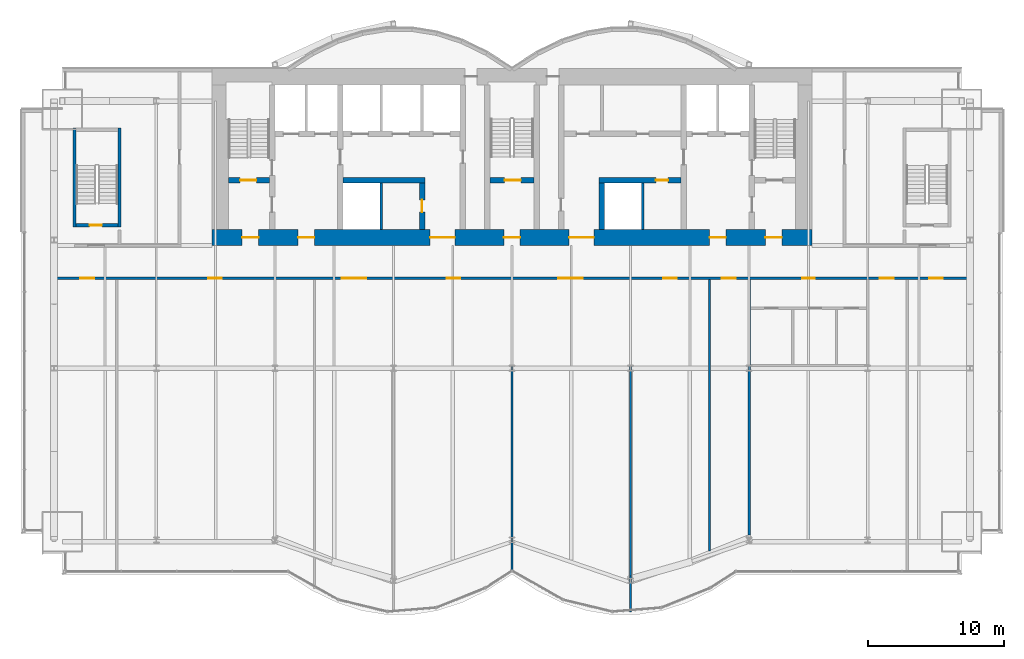
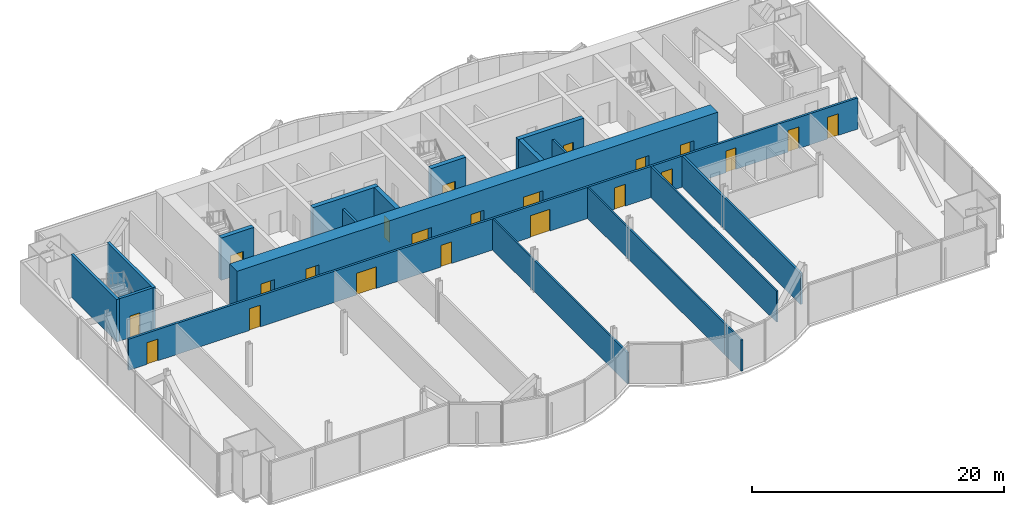
# One storey, part 15 of 21: 22 doors, 18 walls, 22 openings.
"""IFC4 building model written with IfcOpenShell, lengths in metres."""

from ifc_helpers import new_model, si_unit, direction, frame, frame_2d, origin, place, context, subcontext, project, spatial, rectangle, extrude, material, layer, layer_set, type_object, element, fill, save


model = new_model("IFC4")

# Units and contexts
model_context = context("Model", 3, precision=1e-05, world=origin(), true_north=direction((0.0, 1.0)))
body_context = subcontext(model_context, "Body", "Model", "MODEL_VIEW")
ifc_project = project(units=[si_unit("LENGTHUNIT", "METRE"), si_unit("AREAUNIT", "SQUARE_METRE"), si_unit("VOLUMEUNIT", "CUBIC_METRE"), si_unit("PLANEANGLEUNIT", "RADIAN"), si_unit("MASSUNIT", "GRAM", prefix="KILO")], contexts=[model_context])

# Site, building, storey
site_placement = place(None, origin())
site = spatial("IfcSite", under=ifc_project, at=site_placement, CompositionType="ELEMENT")
building_placement = place(site_placement, origin())
building = spatial("IfcBuilding", under=site, at=building_placement, Name="Bicima Exchange Tower", CompositionType="ELEMENT")
storey_placement = place(building_placement, frame((0.0, 0.0, 122.699951171875)))
storey = spatial("IfcBuildingStorey", under=building, at=storey_placement, Name="L26", CompositionType="ELEMENT", Elevation=122.699951171875)

# Walls
ifc_material_1 = material(Name="Gypsum board partition")
ifc_layer_1 = layer(ifc_material_1, 0.199951171875)
ifc_layer_set_1 = layer_set([ifc_layer_1], Name="Gypsum board partition")
wall_type_1 = type_object("IfcWallType", Name="Fire-rated gypsum partition 200 EI120", PredefinedType="PARTITIONING", material=ifc_layer_set_1)
for number, where, z_axis, x_axis, name in (
    (1, (-9.60009765625, -11.800048828125, 0.0), (0.0, 0.0, 1.0), (0.0, 1.0, 0.0), "partition wall 11"),
    (2, (9.60009765625, -11.800048828125, 0.0), (0.0, 0.0, 1.0), (0.0, 1.0, 0.0), "partition wall 21"),
):
    element("IfcWall", number, at=place(storey_placement, frame(where, z_axis=z_axis, x_axis=x_axis)), inside=storey, type_object=wall_type_1, Name=name, PredefinedType="PARTITIONING", context=body_context, shape_type="SweptSolid", body=[
        extrude(rectangle(XDim=3.400146484375, YDim=0.199951171875, at=frame_2d((1.7001953125, 0.0))), origin(), (0.0, 0.0, 1.0), 3.018310546875),
    ])

# Wall, openings, doors
ifc_layer_2 = layer(ifc_material_1, 0.199951171875)
ifc_layer_set_2 = layer_set([ifc_layer_2], Name="Gypsum board partition")
wall_type_2 = type_object("IfcWallType", Name="Fire-rated gypsum partition 200 EI60", PredefinedType="PARTITIONING", material=ifc_layer_set_2)
wall_1_placement = place(storey_placement, frame((-33.3701171875, -15.39990234375, 0.0), z_axis=(0.0, 0.0, 1.0), x_axis=(1.0, 0.0, 0.0)))
wall_1 = element("IfcWall", 3, at=wall_1_placement, inside=storey, type_object=wall_type_2, Name="partition wall 3", PredefinedType="PARTITIONING", context=body_context, shape_type="SweptSolid", body=[
    extrude(rectangle(XDim=66.740234375, YDim=0.199951171875, at=frame_2d((33.3701171875, 0.0))), origin(), (0.0, 0.0, 1.0), 3.018310546875),
])
opening_1_placement = place(wall_1_placement, frame((1.699951171875, 0.0, 0.0)))
opening_1 = element("IfcOpeningElement", 4, at=opening_1_placement, cuts=wall_1, Name="Opening L26-007", PredefinedType="OPENING", context=body_context, shape_type="SweptSolid", body=[
    extrude(rectangle(XDim=1.0, YDim=2.10009765625, at=frame_2d((0.5, 1.050048828125))), frame((0.0, 0.11181640625, 0.0), z_axis=(0.0, -1.0, 0.0), x_axis=(1.0, 0.0, 0.0)), (0.0, 0.0, 1.0), 0.223876953125),
])
opening_2_placement = place(wall_1_placement, frame((11.070068359375, 0.0, 0.0)))
opening_2 = element("IfcOpeningElement", 5, at=opening_2_placement, cuts=wall_1, Name="Opening L26-008", PredefinedType="OPENING", context=body_context, shape_type="SweptSolid", body=[
    extrude(rectangle(XDim=1.0, YDim=2.10009765625, at=frame_2d((0.5, 1.050048828125))), frame((0.0, 0.11181640625, 0.0), z_axis=(0.0, -1.0, 0.0), x_axis=(1.0, 0.0, 0.0)), (0.0, 0.0, 1.0), 0.223876953125),
])
opening_3_placement = place(wall_1_placement, frame((20.8701171875, 0.0, 0.0)))
opening_3 = element("IfcOpeningElement", 6, at=opening_3_placement, cuts=wall_1, Name="Opening L26-009", PredefinedType="OPENING", context=body_context, shape_type="SweptSolid", body=[
    extrude(rectangle(XDim=1.800048828125, YDim=2.10009765625, at=frame_2d((0.89990234375, 1.050048828125))), frame((0.0, 0.11181640625, 0.0), z_axis=(0.0, -1.0, 0.0), x_axis=(1.0, 0.0, 0.0)), (0.0, 0.0, 1.0), 0.223876953125),
])
opening_4_placement = place(wall_1_placement, frame((28.570068359375, 0.0, 0.0)))
opening_4 = element("IfcOpeningElement", 7, at=opening_4_placement, cuts=wall_1, Name="Opening L26-010", PredefinedType="OPENING", context=body_context, shape_type="SweptSolid", body=[
    extrude(rectangle(XDim=1.0, YDim=2.10009765625, at=frame_2d((0.5, 1.050048828125))), frame((0.0, 0.11181640625, 0.0), z_axis=(0.0, -1.0, 0.0), x_axis=(1.0, 0.0, 0.0)), (0.0, 0.0, 1.0), 0.223876953125),
])
opening_5_placement = place(wall_1_placement, frame((36.77001953125, 0.0, 0.0)))
opening_5 = element("IfcOpeningElement", 8, at=opening_5_placement, cuts=wall_1, Name="Opening L26-011", PredefinedType="OPENING", context=body_context, shape_type="SweptSolid", body=[
    extrude(rectangle(XDim=1.800048828125, YDim=2.10009765625, at=frame_2d((0.89990234375, 1.050048828125))), frame((0.0, 0.11181640625, 0.0), z_axis=(0.0, -1.0, 0.0), x_axis=(1.0, 0.0, 0.0)), (0.0, 0.0, 1.0), 0.223876953125),
])
opening_6_placement = place(wall_1_placement, frame((44.469970703125, 0.0, 0.0)))
opening_6 = element("IfcOpeningElement", 9, at=opening_6_placement, cuts=wall_1, Name="Opening L26-012", PredefinedType="OPENING", context=body_context, shape_type="SweptSolid", body=[
    extrude(rectangle(XDim=1.0, YDim=2.10009765625, at=frame_2d((0.5, 1.050048828125))), frame((0.0, 0.11181640625, 0.0), z_axis=(0.0, -1.0, 0.0), x_axis=(1.0, 0.0, 0.0)), (0.0, 0.0, 1.0), 0.223876953125),
])
opening_7_placement = place(wall_1_placement, frame((48.77001953125, 0.0, 0.0)))
opening_7 = element("IfcOpeningElement", 10, at=opening_7_placement, cuts=wall_1, Name="Opening L26-013", PredefinedType="OPENING", context=body_context, shape_type="SweptSolid", body=[
    extrude(rectangle(XDim=1.0, YDim=2.10009765625, at=frame_2d((0.5, 1.050048828125))), frame((0.0, 0.11181640625, 0.0), z_axis=(0.0, -1.0, 0.0), x_axis=(1.0, 0.0, 0.0)), (0.0, 0.0, 1.0), 0.223876953125),
])
opening_8_placement = place(wall_1_placement, frame((54.669921875, 0.0, 0.0)))
opening_8 = element("IfcOpeningElement", 11, at=opening_8_placement, cuts=wall_1, Name="Opening L26-014", PredefinedType="OPENING", context=body_context, shape_type="SweptSolid", body=[
    extrude(rectangle(XDim=0.89990234375, YDim=2.10009765625, at=frame_2d((0.449951171875, 1.050048828125))), frame((0.0, 0.11181640625, 0.0), z_axis=(0.0, -1.0, 0.0), x_axis=(1.0, 0.0, 0.0)), (0.0, 0.0, 1.0), 0.223876953125),
])
opening_9_placement = place(wall_1_placement, frame((60.3701171875, 0.0, 0.0)))
opening_9 = element("IfcOpeningElement", 12, at=opening_9_placement, cuts=wall_1, Name="Opening L26-018", PredefinedType="OPENING", context=body_context, shape_type="SweptSolid", body=[
    extrude(rectangle(XDim=1.0, YDim=2.10009765625, at=frame_2d((0.5, 1.050048828125))), frame((0.0, 0.11181640625, 0.0), z_axis=(0.0, -1.0, 0.0), x_axis=(1.0, 0.0, 0.0)), (0.0, 0.0, 1.0), 0.223876953125),
])
opening_10_placement = place(wall_1_placement, frame((63.969970703125, 0.0, 0.0)))
opening_10 = element("IfcOpeningElement", 13, at=opening_10_placement, cuts=wall_1, Name="Opening L26-019", PredefinedType="OPENING", context=body_context, shape_type="SweptSolid", body=[
    extrude(rectangle(XDim=1.0, YDim=2.10009765625, at=frame_2d((0.5, 1.050048828125))), frame((0.0, 0.11181640625, 0.0), z_axis=(0.0, -1.0, 0.0), x_axis=(1.0, 0.0, 0.0)), (0.0, 0.0, 1.0), 0.223876953125),
])
ifc_material_2 = material(Name="Steel fire door leaf", Category="steel")
door_type_1 = type_object("IfcDoorType", Name="Door 1000 swing FD30S", OperationType="SINGLE_SWING_LEFT", PredefinedType="DOOR", material=ifc_material_2)
door_1_placement = place(opening_1_placement, frame((1.0, 0.0, 0.0), z_axis=(0.0, 0.0, 1.0), x_axis=(-1.0, 0.0, 0.0)))
door_1 = element("IfcDoor", 14, at=door_1_placement, inside=storey, type_object=door_type_1, Name="Door", OperationType="SINGLE_SWING_LEFT", OverallHeight=2.10009765625, OverallWidth=1.0, PredefinedType="DOOR", context=body_context, shape_type="SweptSolid", body=[
    extrude(rectangle(XDim=1.0, YDim=2.10009765625, at=frame_2d((0.5, 1.050048828125))), frame((0.0, 0.02490234375, 0.0), z_axis=(0.0, -1.0, 0.0), x_axis=(1.0, 0.0, 0.0)), (0.0, 0.0, 1.0), 0.050048828125),
])
fill(opening_1, door_1)
door_2_placement = place(opening_2_placement, frame((1.0, 0.0, 0.0), z_axis=(0.0, 0.0, 1.0), x_axis=(-1.0, 0.0, 0.0)))
door_2 = element("IfcDoor", 15, at=door_2_placement, inside=storey, type_object=door_type_1, Name="Door", OperationType="SINGLE_SWING_RIGHT", OverallHeight=2.10009765625, OverallWidth=1.0, PredefinedType="DOOR", context=body_context, shape_type="SweptSolid", body=[
    extrude(rectangle(XDim=1.0, YDim=2.10009765625, at=frame_2d((0.5, 1.050048828125))), frame((0.0, 0.02490234375, 0.0), z_axis=(0.0, -1.0, 0.0), x_axis=(1.0, 0.0, 0.0)), (0.0, 0.0, 1.0), 0.050048828125),
])
fill(opening_2, door_2)
door_3_placement = place(opening_4_placement, frame((1.0, 0.0, 0.0), z_axis=(0.0, 0.0, 1.0), x_axis=(-1.0, 0.0, 0.0)))
door_3 = element("IfcDoor", 16, at=door_3_placement, inside=storey, type_object=door_type_1, Name="Door", OperationType="SINGLE_SWING_LEFT", OverallHeight=2.10009765625, OverallWidth=1.0, PredefinedType="DOOR", context=body_context, shape_type="SweptSolid", body=[
    extrude(rectangle(XDim=1.0, YDim=2.10009765625, at=frame_2d((0.5, 1.050048828125))), frame((0.0, 0.02490234375, 0.0), z_axis=(0.0, -1.0, 0.0), x_axis=(1.0, 0.0, 0.0)), (0.0, 0.0, 1.0), 0.050048828125),
])
fill(opening_4, door_3)
door_4_placement = place(opening_6_placement, frame((1.0, 0.0, 0.0), z_axis=(0.0, 0.0, 1.0), x_axis=(-1.0, 0.0, 0.0)))
door_4 = element("IfcDoor", 17, at=door_4_placement, inside=storey, type_object=door_type_1, Name="Door", OperationType="SINGLE_SWING_RIGHT", OverallHeight=2.10009765625, OverallWidth=1.0, PredefinedType="DOOR", context=body_context, shape_type="SweptSolid", body=[
    extrude(rectangle(XDim=1.0, YDim=2.10009765625, at=frame_2d((0.5, 1.050048828125))), frame((0.0, 0.02490234375, 0.0), z_axis=(0.0, -1.0, 0.0), x_axis=(1.0, 0.0, 0.0)), (0.0, 0.0, 1.0), 0.050048828125),
])
fill(opening_6, door_4)
door_5_placement = place(opening_7_placement, frame((1.0, 0.0, 0.0), z_axis=(0.0, 0.0, 1.0), x_axis=(-1.0, 0.0, 0.0)))
door_5 = element("IfcDoor", 18, at=door_5_placement, inside=storey, type_object=door_type_1, Name="Door", OperationType="SINGLE_SWING_LEFT", OverallHeight=2.10009765625, OverallWidth=1.0, PredefinedType="DOOR", context=body_context, shape_type="SweptSolid", body=[
    extrude(rectangle(XDim=1.0, YDim=2.10009765625, at=frame_2d((0.5, 1.050048828125))), frame((0.0, 0.02490234375, 0.0), z_axis=(0.0, -1.0, 0.0), x_axis=(1.0, 0.0, 0.0)), (0.0, 0.0, 1.0), 0.050048828125),
])
fill(opening_7, door_5)
door_6_placement = place(opening_9_placement, frame((1.0, 0.0, 0.0), z_axis=(0.0, 0.0, 1.0), x_axis=(-1.0, 0.0, 0.0)))
door_6 = element("IfcDoor", 19, at=door_6_placement, inside=storey, type_object=door_type_1, Name="Door", OperationType="SINGLE_SWING_RIGHT", OverallHeight=2.10009765625, OverallWidth=1.0, PredefinedType="DOOR", context=body_context, shape_type="SweptSolid", body=[
    extrude(rectangle(XDim=1.0, YDim=2.10009765625, at=frame_2d((0.5, 1.050048828125))), frame((0.0, 0.02490234375, 0.0), z_axis=(0.0, -1.0, 0.0), x_axis=(1.0, 0.0, 0.0)), (0.0, 0.0, 1.0), 0.050048828125),
])
fill(opening_9, door_6)
door_7_placement = place(opening_10_placement, frame((1.0, 0.0, 0.0), z_axis=(0.0, 0.0, 1.0), x_axis=(-1.0, 0.0, 0.0)))
door_7 = element("IfcDoor", 20, at=door_7_placement, inside=storey, type_object=door_type_1, Name="Door", OperationType="SINGLE_SWING_LEFT", OverallHeight=2.10009765625, OverallWidth=1.0, PredefinedType="DOOR", context=body_context, shape_type="SweptSolid", body=[
    extrude(rectangle(XDim=1.0, YDim=2.10009765625, at=frame_2d((0.5, 1.050048828125))), frame((0.0, 0.02490234375, 0.0), z_axis=(0.0, -1.0, 0.0), x_axis=(1.0, 0.0, 0.0)), (0.0, 0.0, 1.0), 0.050048828125),
])
fill(opening_10, door_7)
door_type_2 = type_object("IfcDoorType", Name="Door 1800 double swing FD30S", OperationType="DOUBLE_DOOR_SINGLE_SWING", PredefinedType="DOOR", material=ifc_material_2)
door_8_placement = place(opening_3_placement, origin())
door_8 = element("IfcDoor", 21, at=door_8_placement, inside=storey, type_object=door_type_2, Name="Door", OperationType="SINGLE_SWING_LEFT", OverallHeight=2.10009765625, OverallWidth=1.800048828125, PredefinedType="DOOR", context=body_context, shape_type="SweptSolid", body=[
    extrude(rectangle(XDim=1.800048828125, YDim=2.10009765625, at=frame_2d((0.89990234375, 1.050048828125))), frame((0.0, 0.02490234375, 0.0), z_axis=(0.0, -1.0, 0.0), x_axis=(1.0, 0.0, 0.0)), (0.0, 0.0, 1.0), 0.050048828125),
])
fill(opening_3, door_8)
door_9_placement = place(opening_5_placement, origin())
door_9 = element("IfcDoor", 22, at=door_9_placement, inside=storey, type_object=door_type_2, Name="Door", OperationType="SINGLE_SWING_LEFT", OverallHeight=2.10009765625, OverallWidth=1.800048828125, PredefinedType="DOOR", context=body_context, shape_type="SweptSolid", body=[
    extrude(rectangle(XDim=1.800048828125, YDim=2.10009765625, at=frame_2d((0.89990234375, 1.050048828125))), frame((0.0, 0.02490234375, 0.0), z_axis=(0.0, -1.0, 0.0), x_axis=(1.0, 0.0, 0.0)), (0.0, 0.0, 1.0), 0.050048828125),
])
fill(opening_5, door_9)
door_type_3 = type_object("IfcDoorType", Name="Door 900 swing FD30S", OperationType="SINGLE_SWING_LEFT", PredefinedType="DOOR", material=ifc_material_2)
door_10_placement = place(opening_8_placement, frame((0.89990234375, 0.0, 0.0), z_axis=(0.0, 0.0, 1.0), x_axis=(-1.0, 0.0, 0.0)))
door_10 = element("IfcDoor", 23, at=door_10_placement, inside=storey, type_object=door_type_3, Name="Door", OperationType="SINGLE_SWING_RIGHT", OverallHeight=2.10009765625, OverallWidth=0.89990234375, PredefinedType="DOOR", context=body_context, shape_type="SweptSolid", body=[
    extrude(rectangle(XDim=0.89990234375, YDim=2.10009765625, at=frame_2d((0.449951171875, 1.050048828125))), frame((0.0, 0.02490234375, 0.0), z_axis=(0.0, -1.0, 0.0), x_axis=(1.0, 0.0, 0.0)), (0.0, 0.0, 1.0), 0.050048828125),
])
fill(opening_8, door_10)

# Walls
wall_2_placement = place(storey_placement, frame((17.39990234375, -34.232177734375, 0.0), z_axis=(0.0, 0.0, 1.0), x_axis=(0.0, 1.0, 0.0)))
element("IfcWall", 24, at=wall_2_placement, inside=storey, type_object=wall_type_2, Name="partition wall 24", PredefinedType="PARTITIONING", context=body_context, shape_type="SweptSolid", body=[
    extrude(rectangle(XDim=18.732177734375, YDim=0.199951171875, at=frame_2d((9.3662109375, 0.0))), origin(), (0.0, 0.0, 1.0), 3.018310546875),
])
ifc_layer_3 = layer(ifc_material_1, 0.14990234375)
ifc_layer_set_3 = layer_set([ifc_layer_3], Name="Gypsum board partition")
wall_type_3 = type_object("IfcWallType", Name="Gypsum partition 150", PredefinedType="PARTITIONING", material=ifc_layer_set_3)
wall_3_placement = place(storey_placement, frame((0.0, -36.8701171875, 0.0), z_axis=(0.0, 0.0, 1.0), x_axis=(0.0, 1.0, 0.0)))
element("IfcWall", 25, at=wall_3_placement, inside=storey, type_object=wall_type_3, Name="partition wall 20", PredefinedType="PARTITIONING", context=body_context, shape_type="SweptSolid", body=[
    extrude(rectangle(XDim=21.3701171875, YDim=0.14990234375, at=frame_2d((10.68505859375, 0.0))), origin(), (0.0, 0.0, 1.0), 3.018310546875),
])
wall_4_placement = place(storey_placement, frame((8.699951171875, -39.8701171875, 0.0), z_axis=(0.0, 0.0, 1.0), x_axis=(0.0, 1.0, 0.0)))
element("IfcWall", 26, at=wall_4_placement, inside=storey, type_object=wall_type_3, Name="partition wall 21", PredefinedType="PARTITIONING", context=body_context, shape_type="SweptSolid", body=[
    extrude(rectangle(XDim=2.640380859375, YDim=0.14990234375, at=frame_2d((1.3203125, 0.0))), origin(), (0.0, 0.0, 1.0), 3.018310546875),
])
wall_5_placement = place(storey_placement, frame((8.699951171875, -37.229736328125, 0.0), z_axis=(0.0, 0.0, 1.0), x_axis=(0.0, 1.0, 0.0)))
element("IfcWall", 27, at=wall_5_placement, inside=storey, type_object=wall_type_3, Name="partition wall 22", PredefinedType="PARTITIONING", context=body_context, shape_type="SweptSolid", body=[
    extrude(rectangle(XDim=21.729736328125, YDim=0.14990234375, at=frame_2d((10.86474609375, 0.0))), origin(), (0.0, 0.0, 1.0), 3.018310546875),
])
wall_6_placement = place(storey_placement, frame((14.5, -35.391845703125, 0.0), z_axis=(0.0, 0.0, 1.0), x_axis=(0.0, 1.0, 0.0)))
element("IfcWall", 28, at=wall_6_placement, inside=storey, type_object=wall_type_3, Name="partition wall 23", PredefinedType="PARTITIONING", context=body_context, shape_type="SweptSolid", body=[
    extrude(rectangle(XDim=19.891845703125, YDim=0.14990234375, at=frame_2d((9.94580078125, 0.0))), origin(), (0.0, 0.0, 1.0), 3.018310546875),
])

# Wall, openings, doors
ifc_material_3 = material(Name="Concrete C60/75", Category="concrete")
ifc_layer_4 = layer(ifc_material_3, 1.199951171875)
ifc_layer_set_4 = layer_set([ifc_layer_4], Name="Concrete C60/75")
wall_type_4 = type_object("IfcWallType", Name="RC core wall 1200 C60/75", PredefinedType="SHEAR", material=ifc_layer_set_4)
wall_7_placement = place(storey_placement, frame((-22.0, -12.39990234375, 0.0), z_axis=(0.0, 0.0, 1.0), x_axis=(1.0, 0.0, 0.0)))
wall_7 = element("IfcWall", 29, at=wall_7_placement, inside=storey, type_object=wall_type_4, Name="Core wall south", PredefinedType="SHEAR", context=body_context, shape_type="SweptSolid", body=[
    extrude(rectangle(XDim=44.0, YDim=1.199951171875, at=frame_2d((22.0, 0.0))), origin(), (0.0, 0.0, 1.0), 4.10009765625),
])
opening_11_placement = place(wall_7_placement, frame((2.199951171875, 0.0, 0.0)))
opening_11 = element("IfcOpeningElement", 30, at=opening_11_placement, cuts=wall_7, Name="Opening L26-C18", PredefinedType="OPENING", context=body_context, shape_type="SweptSolid", body=[
    extrude(rectangle(XDim=1.199951171875, YDim=2.10009765625, at=frame_2d((0.60009765625, 1.050048828125))), frame((0.0, 0.61181640625, 0.0), z_axis=(0.0, -1.0, 0.0), x_axis=(1.0, 0.0, 0.0)), (0.0, 0.0, 1.0), 1.223876953125),
])
opening_12_placement = place(wall_7_placement, frame((21.39990234375, 0.0, 0.0)))
opening_12 = element("IfcOpeningElement", 31, at=opening_12_placement, cuts=wall_7, Name="Opening L26-C19", PredefinedType="OPENING", context=body_context, shape_type="SweptSolid", body=[
    extrude(rectangle(XDim=1.199951171875, YDim=2.10009765625, at=frame_2d((0.60009765625, 1.050048828125))), frame((0.0, 0.61181640625, 0.0), z_axis=(0.0, -1.0, 0.0), x_axis=(1.0, 0.0, 0.0)), (0.0, 0.0, 1.0), 1.223876953125),
])
opening_13_placement = place(wall_7_placement, frame((40.60009765625, 0.0, 0.0)))
opening_13 = element("IfcOpeningElement", 32, at=opening_13_placement, cuts=wall_7, Name="Opening L26-C20", PredefinedType="OPENING", context=body_context, shape_type="SweptSolid", body=[
    extrude(rectangle(XDim=1.199951171875, YDim=2.10009765625, at=frame_2d((0.60009765625, 1.050048828125))), frame((0.0, 0.61181640625, 0.0), z_axis=(0.0, -1.0, 0.0), x_axis=(1.0, 0.0, 0.0)), (0.0, 0.0, 1.0), 1.223876953125),
])
opening_14_placement = place(wall_7_placement, frame((16.0, 0.0, 0.0)))
opening_14 = element("IfcOpeningElement", 33, at=opening_14_placement, cuts=wall_7, Name="Opening L26-C21", PredefinedType="OPENING", context=body_context, shape_type="SweptSolid", body=[
    extrude(rectangle(XDim=1.800048828125, YDim=2.10009765625, at=frame_2d((0.89990234375, 1.050048828125))), frame((0.0, 0.61181640625, 0.0), z_axis=(0.0, -1.0, 0.0), x_axis=(1.0, 0.0, 0.0)), (0.0, 0.0, 1.0), 1.223876953125),
])
opening_15_placement = place(wall_7_placement, frame((6.300048828125, 0.0, 0.0)))
opening_15 = element("IfcOpeningElement", 34, at=opening_15_placement, cuts=wall_7, Name="Opening L26-C22", PredefinedType="OPENING", context=body_context, shape_type="SweptSolid", body=[
    extrude(rectangle(XDim=1.199951171875, YDim=2.10009765625, at=frame_2d((0.60009765625, 1.050048828125))), frame((0.0, 0.61181640625, 0.0), z_axis=(0.0, -1.0, 0.0), x_axis=(1.0, 0.0, 0.0)), (0.0, 0.0, 1.0), 1.223876953125),
])
opening_16_placement = place(wall_7_placement, frame((26.199951171875, 0.0, 0.0)))
opening_16 = element("IfcOpeningElement", 35, at=opening_16_placement, cuts=wall_7, Name="Opening L26-C23", PredefinedType="OPENING", context=body_context, shape_type="SweptSolid", body=[
    extrude(rectangle(XDim=1.800048828125, YDim=2.10009765625, at=frame_2d((0.89990234375, 1.050048828125))), frame((0.0, 0.61181640625, 0.0), z_axis=(0.0, -1.0, 0.0), x_axis=(1.0, 0.0, 0.0)), (0.0, 0.0, 1.0), 1.223876953125),
])
opening_17_placement = place(wall_7_placement, frame((36.5, 0.0, 0.0)))
opening_17 = element("IfcOpeningElement", 36, at=opening_17_placement, cuts=wall_7, Name="Opening L26-C24", PredefinedType="OPENING", context=body_context, shape_type="SweptSolid", body=[
    extrude(rectangle(XDim=1.199951171875, YDim=2.10009765625, at=frame_2d((0.60009765625, 1.050048828125))), frame((0.0, 0.61181640625, 0.0), z_axis=(0.0, -1.0, 0.0), x_axis=(1.0, 0.0, 0.0)), (0.0, 0.0, 1.0), 1.223876953125),
])
door_type_4 = type_object("IfcDoorType", Name="Door 1200 swing FD60S", OperationType="SINGLE_SWING_LEFT", PredefinedType="DOOR", material=ifc_material_2)
door_11_placement = place(opening_11_placement, frame((1.199951171875, 0.0, 0.0), z_axis=(0.0, 0.0, 1.0), x_axis=(-1.0, 0.0, 0.0)))
door_11 = element("IfcDoor", 37, at=door_11_placement, inside=storey, type_object=door_type_4, Name="Core door", OperationType="SINGLE_SWING_RIGHT", OverallHeight=2.10009765625, OverallWidth=1.199951171875, PredefinedType="DOOR", context=body_context, shape_type="SweptSolid", body=[
    extrude(rectangle(XDim=1.199951171875, YDim=2.10009765625, at=frame_2d((0.60009765625, 1.050048828125))), frame((0.0, 0.02490234375, 0.0), z_axis=(0.0, -1.0, 0.0), x_axis=(1.0, 0.0, 0.0)), (0.0, 0.0, 1.0), 0.050048828125),
])
fill(opening_11, door_11)
door_12_placement = place(opening_12_placement, frame((1.199951171875, 0.0, 0.0), z_axis=(0.0, 0.0, 1.0), x_axis=(-1.0, 0.0, 0.0)))
door_12 = element("IfcDoor", 38, at=door_12_placement, inside=storey, type_object=door_type_4, Name="Core door", OperationType="SINGLE_SWING_RIGHT", OverallHeight=2.10009765625, OverallWidth=1.199951171875, PredefinedType="DOOR", context=body_context, shape_type="SweptSolid", body=[
    extrude(rectangle(XDim=1.199951171875, YDim=2.10009765625, at=frame_2d((0.60009765625, 1.050048828125))), frame((0.0, 0.02490234375, 0.0), z_axis=(0.0, -1.0, 0.0), x_axis=(1.0, 0.0, 0.0)), (0.0, 0.0, 1.0), 0.050048828125),
])
fill(opening_12, door_12)
door_13_placement = place(opening_13_placement, frame((1.199951171875, 0.0, 0.0), z_axis=(0.0, 0.0, 1.0), x_axis=(-1.0, 0.0, 0.0)))
door_13 = element("IfcDoor", 39, at=door_13_placement, inside=storey, type_object=door_type_4, Name="Core door", OperationType="SINGLE_SWING_RIGHT", OverallHeight=2.10009765625, OverallWidth=1.199951171875, PredefinedType="DOOR", context=body_context, shape_type="SweptSolid", body=[
    extrude(rectangle(XDim=1.199951171875, YDim=2.10009765625, at=frame_2d((0.60009765625, 1.050048828125))), frame((0.0, 0.02490234375, 0.0), z_axis=(0.0, -1.0, 0.0), x_axis=(1.0, 0.0, 0.0)), (0.0, 0.0, 1.0), 0.050048828125),
])
fill(opening_13, door_13)
door_14_placement = place(opening_15_placement, frame((1.199951171875, 0.0, 0.0), z_axis=(0.0, 0.0, 1.0), x_axis=(-1.0, 0.0, 0.0)))
door_14 = element("IfcDoor", 40, at=door_14_placement, inside=storey, type_object=door_type_4, Name="Core door", OperationType="SINGLE_SWING_RIGHT", OverallHeight=2.10009765625, OverallWidth=1.199951171875, PredefinedType="DOOR", context=body_context, shape_type="SweptSolid", body=[
    extrude(rectangle(XDim=1.199951171875, YDim=2.10009765625, at=frame_2d((0.60009765625, 1.050048828125))), frame((0.0, 0.02490234375, 0.0), z_axis=(0.0, -1.0, 0.0), x_axis=(1.0, 0.0, 0.0)), (0.0, 0.0, 1.0), 0.050048828125),
])
fill(opening_15, door_14)
door_15_placement = place(opening_17_placement, frame((1.199951171875, 0.0, 0.0), z_axis=(0.0, 0.0, 1.0), x_axis=(-1.0, 0.0, 0.0)))
door_15 = element("IfcDoor", 41, at=door_15_placement, inside=storey, type_object=door_type_4, Name="Core door", OperationType="SINGLE_SWING_RIGHT", OverallHeight=2.10009765625, OverallWidth=1.199951171875, PredefinedType="DOOR", context=body_context, shape_type="SweptSolid", body=[
    extrude(rectangle(XDim=1.199951171875, YDim=2.10009765625, at=frame_2d((0.60009765625, 1.050048828125))), frame((0.0, 0.02490234375, 0.0), z_axis=(0.0, -1.0, 0.0), x_axis=(1.0, 0.0, 0.0)), (0.0, 0.0, 1.0), 0.050048828125),
])
fill(opening_17, door_15)
door_16_placement = place(opening_14_placement, origin())
door_16 = element("IfcDoor", 42, at=door_16_placement, inside=storey, type_object=door_type_2, Name="Core door", OperationType="SINGLE_SWING_LEFT", OverallHeight=2.10009765625, OverallWidth=1.800048828125, PredefinedType="DOOR", context=body_context, shape_type="SweptSolid", body=[
    extrude(rectangle(XDim=1.800048828125, YDim=2.10009765625, at=frame_2d((0.89990234375, 1.050048828125))), frame((0.0, 0.02490234375, 0.0), z_axis=(0.0, -1.0, 0.0), x_axis=(1.0, 0.0, 0.0)), (0.0, 0.0, 1.0), 0.050048828125),
])
fill(opening_14, door_16)
door_17_placement = place(opening_16_placement, origin())
door_17 = element("IfcDoor", 43, at=door_17_placement, inside=storey, type_object=door_type_2, Name="Core door", OperationType="SINGLE_SWING_LEFT", OverallHeight=2.10009765625, OverallWidth=1.800048828125, PredefinedType="DOOR", context=body_context, shape_type="SweptSolid", body=[
    extrude(rectangle(XDim=1.800048828125, YDim=2.10009765625, at=frame_2d((0.89990234375, 1.050048828125))), frame((0.0, 0.02490234375, 0.0), z_axis=(0.0, -1.0, 0.0), x_axis=(1.0, 0.0, 0.0)), (0.0, 0.0, 1.0), 0.050048828125),
])
fill(opening_16, door_17)

# Wall, opening, door
ifc_material_4 = material(Name="Concrete C50/60", Category="concrete")
ifc_layer_5 = layer(ifc_material_4, 0.39990234375)
ifc_layer_set_5 = layer_set([ifc_layer_5], Name="Concrete C50/60")
wall_type_5 = type_object("IfcWallType", Name="RC core wall 400 C50/60", PredefinedType="SHEAR", material=ifc_layer_set_5)
wall_8_placement = place(storey_placement, frame((-20.800048828125, -8.199951171875, 0.0), z_axis=(0.0, 0.0, 1.0), x_axis=(1.0, 0.0, 0.0)))
wall_8 = element("IfcWall", 44, at=wall_8_placement, inside=storey, type_object=wall_type_5, Name="stair wall 1", PredefinedType="SHEAR", context=body_context, shape_type="SweptSolid", body=[
    extrude(rectangle(XDim=3.0, YDim=0.39990234375, at=frame_2d((1.5, 0.0))), origin(), (0.0, 0.0, 1.0), 4.10009765625),
])
opening_18_placement = place(wall_8_placement, frame((0.85009765625, 0.0, 0.0)))
opening_18 = element("IfcOpeningElement", 45, at=opening_18_placement, cuts=wall_8, Name="Opening L26-C01", PredefinedType="OPENING", context=body_context, shape_type="SweptSolid", body=[
    extrude(rectangle(XDim=1.199951171875, YDim=2.10009765625, at=frame_2d((0.60009765625, 1.050048828125))), frame((0.0, 0.2119140625, 0.0), z_axis=(0.0, -1.0, 0.0), x_axis=(1.0, 0.0, 0.0)), (0.0, 0.0, 1.0), 0.423828125),
])
door_18_placement = place(opening_18_placement, origin())
door_18 = element("IfcDoor", 46, at=door_18_placement, inside=storey, type_object=door_type_4, Name="Core door", OperationType="SINGLE_SWING_LEFT", OverallHeight=2.10009765625, OverallWidth=1.199951171875, PredefinedType="DOOR", context=body_context, shape_type="SweptSolid", body=[
    extrude(rectangle(XDim=1.199951171875, YDim=2.10009765625, at=frame_2d((0.60009765625, 1.050048828125))), frame((0.0, 0.02490234375, 0.0), z_axis=(0.0, -1.0, 0.0), x_axis=(1.0, 0.0, 0.0)), (0.0, 0.0, 1.0), 0.050048828125),
])
fill(opening_18, door_18)

wall_9_placement = place(storey_placement, frame((-1.60009765625, -8.199951171875, 0.0), z_axis=(0.0, 0.0, 1.0), x_axis=(1.0, 0.0, 0.0)))
wall_9 = element("IfcWall", 47, at=wall_9_placement, inside=storey, type_object=wall_type_5, Name="stair wall 3", PredefinedType="SHEAR", context=body_context, shape_type="SweptSolid", body=[
    extrude(rectangle(XDim=3.2001953125, YDim=0.39990234375, at=frame_2d((1.60009765625, 0.0))), origin(), (0.0, 0.0, 1.0), 4.10009765625),
])
opening_19_placement = place(wall_9_placement, frame((1.050048828125, 0.0, 0.0)))
opening_19 = element("IfcOpeningElement", 48, at=opening_19_placement, cuts=wall_9, Name="Opening L26-C03", PredefinedType="OPENING", context=body_context, shape_type="SweptSolid", body=[
    extrude(rectangle(XDim=1.199951171875, YDim=2.10009765625, at=frame_2d((0.60009765625, 1.050048828125))), frame((0.0, 0.2119140625, 0.0), z_axis=(0.0, -1.0, 0.0), x_axis=(1.0, 0.0, 0.0)), (0.0, 0.0, 1.0), 0.423828125),
])
door_19_placement = place(opening_19_placement, origin())
door_19 = element("IfcDoor", 49, at=door_19_placement, inside=storey, type_object=door_type_4, Name="Core door", OperationType="SINGLE_SWING_LEFT", OverallHeight=2.10009765625, OverallWidth=1.199951171875, PredefinedType="DOOR", context=body_context, shape_type="SweptSolid", body=[
    extrude(rectangle(XDim=1.199951171875, YDim=2.10009765625, at=frame_2d((0.60009765625, 1.050048828125))), frame((0.0, 0.02490234375, 0.0), z_axis=(0.0, -1.0, 0.0), x_axis=(1.0, 0.0, 0.0)), (0.0, 0.0, 1.0), 0.050048828125),
])
fill(opening_19, door_19)

# Wall
ifc_layer_6 = layer(ifc_material_3, 0.39990234375)
ifc_layer_set_6 = layer_set([ifc_layer_6], Name="Concrete C60/75")
wall_type_6 = type_object("IfcWallType", Name="RC core wall 400 C60/75", PredefinedType="SHEAR", material=ifc_layer_set_6)
wall_10_placement = place(storey_placement, frame((-12.39990234375, -8.199951171875, 0.0), z_axis=(0.0, 0.0, 1.0), x_axis=(1.0, 0.0, 0.0)))
element("IfcWall", 50, at=wall_10_placement, inside=storey, type_object=wall_type_6, Name="shear wall 2", PredefinedType="SHEAR", context=body_context, shape_type="SweptSolid", body=[
    extrude(rectangle(XDim=6.0, YDim=0.39990234375, at=frame_2d((3.0, 0.0))), origin(), (0.0, 0.0, 1.0), 4.10009765625),
])

# Wall, opening, door
wall_11_placement = place(storey_placement, frame((6.39990234375, -8.199951171875, 0.0), z_axis=(0.0, 0.0, 1.0), x_axis=(1.0, 0.0, 0.0)))
wall_11 = element("IfcWall", 51, at=wall_11_placement, inside=storey, type_object=wall_type_6, Name="shear wall 4", PredefinedType="SHEAR", context=body_context, shape_type="SweptSolid", body=[
    extrude(rectangle(XDim=6.0, YDim=0.39990234375, at=frame_2d((3.0, 0.0))), origin(), (0.0, 0.0, 1.0), 4.10009765625),
])
opening_20_placement = place(wall_11_placement, frame((4.14990234375, 0.0, 0.0)))
opening_20 = element("IfcOpeningElement", 52, at=opening_20_placement, cuts=wall_11, Name="Opening L26-C15", PredefinedType="OPENING", context=body_context, shape_type="SweptSolid", body=[
    extrude(rectangle(XDim=0.89990234375, YDim=2.10009765625, at=frame_2d((0.449951171875, 1.050048828125))), frame((0.0, 0.2119140625, 0.0), z_axis=(0.0, -1.0, 0.0), x_axis=(1.0, 0.0, 0.0)), (0.0, 0.0, 1.0), 0.423828125),
])
door_20_placement = place(opening_20_placement, frame((0.89990234375, 0.0, 0.0), z_axis=(0.0, 0.0, 1.0), x_axis=(-1.0, 0.0, 0.0)))
door_20 = element("IfcDoor", 53, at=door_20_placement, inside=storey, type_object=door_type_3, Name="Core door", OperationType="SINGLE_SWING_RIGHT", OverallHeight=2.10009765625, OverallWidth=0.89990234375, PredefinedType="DOOR", context=body_context, shape_type="SweptSolid", body=[
    extrude(rectangle(XDim=0.89990234375, YDim=2.10009765625, at=frame_2d((0.449951171875, 1.050048828125))), frame((0.0, 0.02490234375, 0.0), z_axis=(0.0, -1.0, 0.0), x_axis=(1.0, 0.0, 0.0)), (0.0, 0.0, 1.0), 0.050048828125),
])
fill(opening_20, door_20)

wall_12_placement = place(storey_placement, frame((-6.60009765625, -11.800048828125, 0.0), z_axis=(0.0, 0.0, 1.0), x_axis=(0.0, 1.0, 0.0)))
wall_12 = element("IfcWall", 54, at=wall_12_placement, inside=storey, type_object=wall_type_6, Name="shear wall 13", PredefinedType="SHEAR", context=body_context, shape_type="SweptSolid", body=[
    extrude(rectangle(XDim=3.400146484375, YDim=0.39990234375, at=frame_2d((1.7001953125, 0.0))), origin(), (0.0, 0.0, 1.0), 4.10009765625),
])
opening_21_placement = place(wall_12_placement, frame((1.25, 0.0, 0.0)))
opening_21 = element("IfcOpeningElement", 55, at=opening_21_placement, cuts=wall_12, Name="Opening L26-C14", PredefinedType="OPENING", context=body_context, shape_type="SweptSolid", body=[
    extrude(rectangle(XDim=0.89990234375, YDim=2.10009765625, at=frame_2d((0.449951171875, 1.050048828125))), frame((0.0, 0.2119140625, 0.0), z_axis=(0.0, -1.0, 0.0), x_axis=(1.0, 0.0, 0.0)), (0.0, 0.0, 1.0), 0.423828125),
])
door_21_placement = place(opening_21_placement, origin())
door_21 = element("IfcDoor", 56, at=door_21_placement, inside=storey, type_object=door_type_3, Name="Core door", OperationType="SINGLE_SWING_RIGHT", OverallHeight=2.10009765625, OverallWidth=0.89990234375, PredefinedType="DOOR", context=body_context, shape_type="SweptSolid", body=[
    extrude(rectangle(XDim=0.89990234375, YDim=2.10009765625, at=frame_2d((0.449951171875, 1.050048828125))), frame((0.0, 0.02490234375, 0.0), z_axis=(0.0, -1.0, 0.0), x_axis=(1.0, 0.0, 0.0)), (0.0, 0.0, 1.0), 0.050048828125),
])
fill(opening_21, door_21)

# Walls
wall_13_placement = place(storey_placement, frame((6.60009765625, -11.800048828125, 0.0), z_axis=(0.0, 0.0, 1.0), x_axis=(0.0, 1.0, 0.0)))
element("IfcWall", 57, at=wall_13_placement, inside=storey, type_object=wall_type_6, Name="shear wall 19", PredefinedType="SHEAR", context=body_context, shape_type="SweptSolid", body=[
    extrude(rectangle(XDim=3.400146484375, YDim=0.39990234375, at=frame_2d((1.7001953125, 0.0))), origin(), (0.0, 0.0, 1.0), 4.10009765625),
])
ifc_layer_7 = layer(ifc_material_4, 0.25)
ifc_layer_set_7 = layer_set([ifc_layer_7], Name="Concrete C50/60")
wall_type_7 = type_object("IfcWallType", Name="RC stair enclosure wall 250 C50/60", PredefinedType="SHEAR", material=ifc_layer_set_7)
for number, where, z_axis, x_axis, name in (
    (58, (-32.10009765625, -11.625, 0.0), (0.0, 0.0, 1.0), (0.0, 1.0, 0.0), "West end exit stair wall W"),
    (59, (-28.800048828125, -11.625, 0.0), (0.0, 0.0, 1.0), (0.0, 1.0, 0.0), "West end exit stair wall E"),
):
    element("IfcWall", number, at=place(storey_placement, frame(where, z_axis=z_axis, x_axis=x_axis)), inside=storey, type_object=wall_type_7, Name=name, PredefinedType="SHEAR", context=body_context, shape_type="SweptSolid", body=[
        extrude(rectangle(XDim=7.25, YDim=0.25, at=frame_2d((3.625, 0.0))), origin(), (0.0, 0.0, 1.0), 4.10009765625),
    ])

# Wall, opening, door
wall_14_placement = place(storey_placement, frame((-31.97509765625, -11.5, 0.0), z_axis=(0.0, 0.0, 1.0), x_axis=(1.0, 0.0, 0.0)))
wall_14 = element("IfcWall", 60, at=wall_14_placement, inside=storey, type_object=wall_type_7, Name="West end exit stair wall S", PredefinedType="SHEAR", context=body_context, shape_type="SweptSolid", body=[
    extrude(rectangle(XDim=3.050048828125, YDim=0.25, at=frame_2d((1.52490234375, 0.0))), origin(), (0.0, 0.0, 1.0), 4.10009765625),
])
opening_22_placement = place(wall_14_placement, frame((0.97509765625, 0.0, 0.0)))
opening_22 = element("IfcOpeningElement", 61, at=opening_22_placement, cuts=wall_14, Name="Opening L26-002", PredefinedType="OPENING", context=body_context, shape_type="SweptSolid", body=[
    extrude(rectangle(XDim=0.89990234375, YDim=2.10009765625, at=frame_2d((0.449951171875, 1.050048828125))), frame((0.0, 0.136962890625, 0.0), z_axis=(0.0, -1.0, 0.0), x_axis=(1.0, 0.0, 0.0)), (0.0, 0.0, 1.0), 0.27392578125),
])
door_type_5 = type_object("IfcDoorType", Name="Door 900 swing FD60S", OperationType="SINGLE_SWING_LEFT", PredefinedType="DOOR", material=ifc_material_2)
door_22_placement = place(opening_22_placement, origin())
door_22 = element("IfcDoor", 62, at=door_22_placement, inside=storey, type_object=door_type_5, Name="Door", OperationType="SINGLE_SWING_LEFT", OverallHeight=2.10009765625, OverallWidth=0.89990234375, PredefinedType="DOOR", context=body_context, shape_type="SweptSolid", body=[
    extrude(rectangle(XDim=0.89990234375, YDim=2.10009765625, at=frame_2d((0.449951171875, 1.050048828125))), frame((0.0, 0.02490234375, 0.0), z_axis=(0.0, -1.0, 0.0), x_axis=(1.0, 0.0, 0.0)), (0.0, 0.0, 1.0), 0.050048828125),
])
fill(opening_22, door_22)

save(model, "model.ifc")
